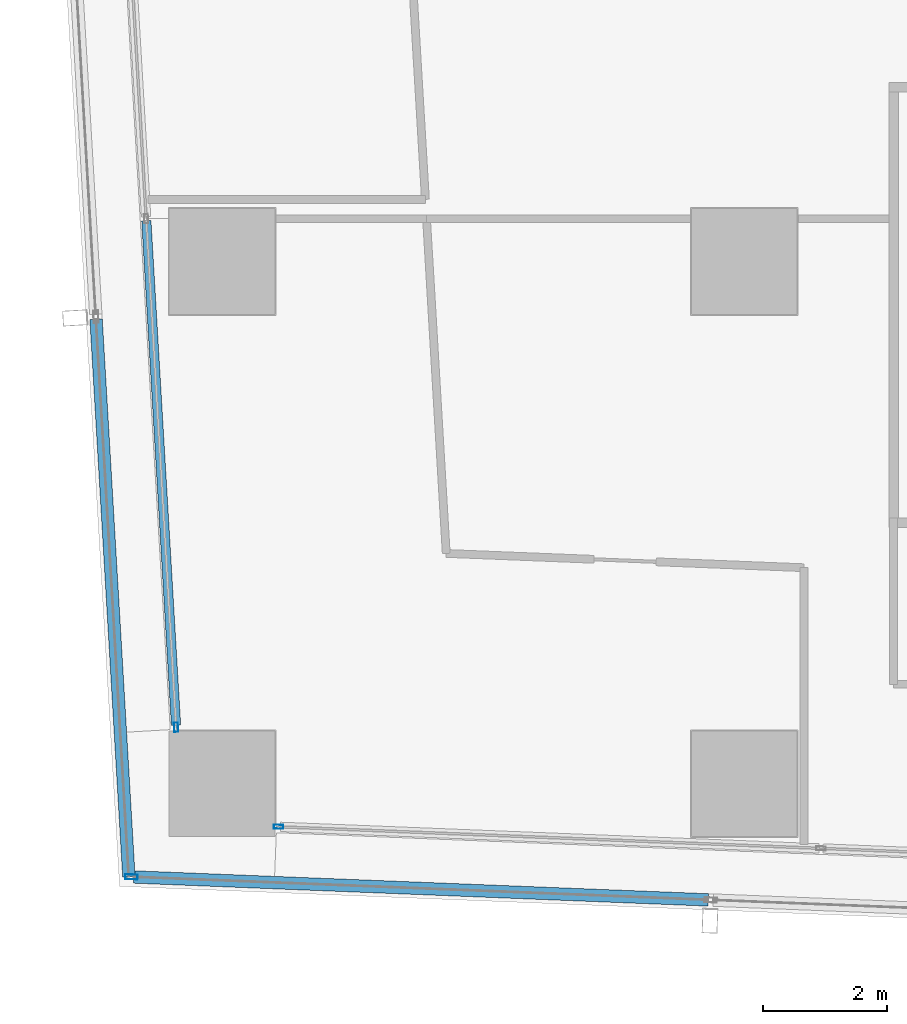
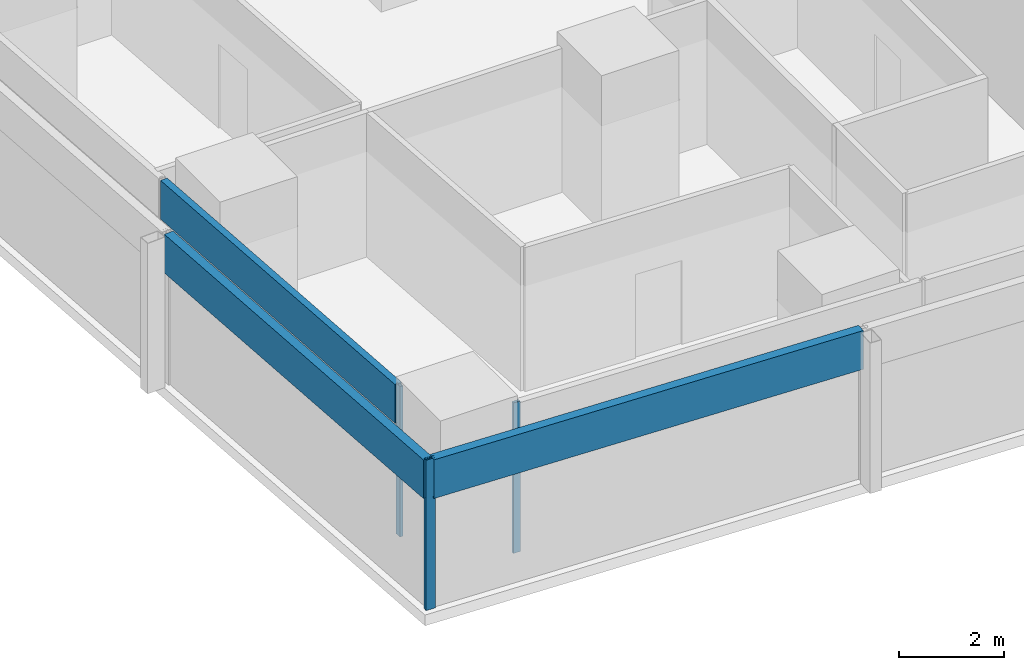
# One storey, part 2 of 39: 6 members, 4 elements without a shape of their own.
"""IFC4 building model written with IfcOpenShell, lengths in metres."""

from ifc_helpers import new_model, si_unit, direction, frame, origin, origin_2d, place, context, subcontext, project, spatial, hollow_rectangle, extrude, material, material_profile, profile_set, type_object, element, aggregate, save


model = new_model("IFC4")

# Units and contexts
model_context = context("Model", 3, precision=1e-05, world=origin(), true_north=direction((0.0, 1.0)))
body_context = subcontext(model_context, "Body", "Model", "MODEL_VIEW")
ifc_project = project(units=[si_unit("LENGTHUNIT", "METRE"), si_unit("AREAUNIT", "SQUARE_METRE"), si_unit("VOLUMEUNIT", "CUBIC_METRE"), si_unit("PLANEANGLEUNIT", "RADIAN"), si_unit("MASSUNIT", "GRAM", prefix="KILO")], contexts=[model_context])

# Site, building, storey
site_placement = place(None, origin())
site = spatial("IfcSite", under=ifc_project, at=site_placement, CompositionType="ELEMENT")
building_placement = place(site_placement, origin())
building = spatial("IfcBuilding", under=site, at=building_placement, Name="Rekha Terrace Tower", CompositionType="ELEMENT")
storey_placement = place(building_placement, frame((0.0, 0.0, 180.199951171875)))
storey = spatial("IfcBuildingStorey", under=building, at=storey_placement, Name="L45", CompositionType="ELEMENT", Elevation=180.199951171875)

# Curtain wall, member
ifc_material_1 = material(Name="Aluminium framing", Category="aluminium")
curtain_wall_type_1 = type_object("IfcCurtainWallType", Name="CW1 double skin inner glazing", PredefinedType="USERDEFINED", material=ifc_material_1)
curtain_wall_1_placement = place(storey_placement, origin())
curtain_wall_1 = element("IfcCurtainWall", 1, at=curtain_wall_1_placement, inside=storey, type_object=curtain_wall_type_1, Name="CW1 double skin inner glazing", ObjectType="DOUBLE SKIN INNER GLAZING", PredefinedType="USERDEFINED")
ifc_material_2 = material(Name="Aluminium mullion section", Category="aluminium")
ifc_material_profile_1 = material_profile(ifc_material_2, hollow_rectangle(XDim=0.06494140625, YDim=0.14990234375, WallThickness=0.00390625, at=origin_2d()), Name="AL RHS 65x150")
ifc_profile_set_1 = profile_set([ifc_material_profile_1], Name="Aluminium mullion section")
member_type_1 = type_object("IfcMemberType", Name="CW1 mullion RHS 65 x 150", PredefinedType="MULLION", material=ifc_profile_set_1)
member_1_placement = place(storey_placement, frame((9.30615234375, 16.10888671875, 0.0), z_axis=(0.0, 0.0, 1.0), x_axis=(0.039872497044, 0.999204775799, 0.0)))
member_1 = element("IfcMember", 2, at=member_1_placement, type_object=member_type_1, Name="CW1 mullion 1", PredefinedType="MULLION", context=body_context, shape_type="SweptSolid", body=[
    extrude(hollow_rectangle(XDim=0.06494140625, YDim=0.14990234375, WallThickness=0.00390625, at=origin_2d()), origin(), (0.0, 0.0, 1.0), 3.5),
])
aggregate(curtain_wall_1, [member_1])

# Curtain wall, members
curtain_wall_2_placement = place(storey_placement, origin())
curtain_wall_2 = element("IfcCurtainWall", 3, at=curtain_wall_2_placement, inside=storey, type_object=curtain_wall_type_1, Name="CW1 double skin inner glazing", ObjectType="DOUBLE SKIN INNER GLAZING", PredefinedType="USERDEFINED")
member_2_placement = place(storey_placement, frame((7.6611328125, 17.7080078125, 0.0), z_axis=(0.0, 0.0, 1.0), x_axis=(0.998271839267, 0.058765082551, 0.0)))
member_2 = element("IfcMember", 4, at=member_2_placement, type_object=member_type_1, Name="CW1 mullion 4", PredefinedType="MULLION", context=body_context, shape_type="SweptSolid", body=[
    extrude(hollow_rectangle(XDim=0.06494140625, YDim=0.14990234375, WallThickness=0.00390625, at=origin_2d()), origin(), (0.0, 0.0, 1.0), 3.5),
])
ifc_material_3 = material(Name="Insulated aluminium spandrel box", Category="aluminium")
ifc_material_profile_2 = material_profile(ifc_material_3, hollow_rectangle(XDim=0.14990234375, YDim=0.89990234375, WallThickness=0.0029296875, at=origin_2d()), Name="AL SPANDREL BOX 150x900")
ifc_profile_set_2 = profile_set([ifc_material_profile_2], Name="Insulated aluminium spandrel box")
member_type_2 = type_object("IfcMemberType", Name="CW1 spandrel transom 150 x 900", PredefinedType="USERDEFINED", material=ifc_profile_set_2)
member_3_placement = place(storey_placement, frame((7.181640625, 25.85595703125, 3.050048828125), z_axis=(0.058771314685, -0.998271472381, 0.0), x_axis=(0.998271472381, 0.058771314685, 0.0)))
member_3 = element("IfcMember", 5, at=member_3_placement, type_object=member_type_2, Name="CW1 spandrel transom 3", ObjectType="TRANSOM", PredefinedType="USERDEFINED", context=body_context, shape_type="SweptSolid", body=[
    extrude(hollow_rectangle(XDim=0.14990234375, YDim=0.89990234375, WallThickness=0.0029296875, at=origin_2d()), origin(), (0.0, 0.0, 1.0), 8.129638671875),
])
aggregate(curtain_wall_2, [member_2, member_3])

curtain_wall_type_2 = type_object("IfcCurtainWallType", Name="CW2 double skin outer glazing", PredefinedType="USERDEFINED", material=ifc_material_1)
curtain_wall_3_placement = place(storey_placement, origin())
curtain_wall_3 = element("IfcCurtainWall", 6, at=curtain_wall_3_placement, inside=storey, type_object=curtain_wall_type_2, Name="CW2 double skin outer glazing", ObjectType="DOUBLE SKIN OUTER GLAZING", PredefinedType="USERDEFINED")
ifc_material_profile_3 = material_profile(ifc_material_2, hollow_rectangle(XDim=0.080078125, YDim=0.199951171875, WallThickness=0.00390625, at=origin_2d()), Name="AL RHS 80x200")
ifc_profile_set_3 = profile_set([ifc_material_profile_3], Name="Aluminium mullion section")
member_type_3 = type_object("IfcMemberType", Name="CW2 mullion RHS 80 x 200", PredefinedType="MULLION", material=ifc_profile_set_3)
member_4_placement = place(storey_placement, frame((6.941162109375, 15.302490234375, 0.0), z_axis=(0.0, 0.0, 1.0), x_axis=(0.039872497044, 0.999204775799, 0.0)))
member_4 = element("IfcMember", 7, at=member_4_placement, type_object=member_type_3, Name="CW2 mullion 1", PredefinedType="MULLION", context=body_context, shape_type="SweptSolid", body=[
    extrude(hollow_rectangle(XDim=0.080078125, YDim=0.199951171875, WallThickness=0.00390625, at=origin_2d()), origin(), (0.0, 0.0, 1.0), 3.5),
])
ifc_material_profile_4 = material_profile(ifc_material_3, hollow_rectangle(XDim=0.199951171875, YDim=0.89990234375, WallThickness=0.0029296875, at=origin_2d()), Name="AL SPANDREL BOX 200x900")
ifc_profile_set_4 = profile_set([ifc_material_profile_4], Name="Insulated aluminium spandrel box")
member_type_4 = type_object("IfcMemberType", Name="CW2 spandrel transom 200 x 900", PredefinedType="USERDEFINED", material=ifc_profile_set_4)
member_5_placement = place(storey_placement, frame((6.981201171875, 15.301025390625, 3.050048828125), z_axis=(0.999203782278, -0.039897386899, 0.0), x_axis=(0.039897386899, 0.999203782278, 0.0)))
member_5 = element("IfcMember", 8, at=member_5_placement, type_object=member_type_4, Name="CW2 spandrel transom 1", ObjectType="TRANSOM", PredefinedType="USERDEFINED", context=body_context, shape_type="SweptSolid", body=[
    extrude(hollow_rectangle(XDim=0.199951171875, YDim=0.89990234375, WallThickness=0.0029296875, at=origin_2d()), origin(), (0.0, 0.0, 1.0), 9.24609375),
])
aggregate(curtain_wall_3, [member_4, member_5])

# Curtain wall, member
curtain_wall_4_placement = place(storey_placement, origin())
curtain_wall_4 = element("IfcCurtainWall", 9, at=curtain_wall_4_placement, inside=storey, type_object=curtain_wall_type_2, Name="CW2 double skin outer glazing", ObjectType="DOUBLE SKIN OUTER GLAZING", PredefinedType="USERDEFINED")
member_6_placement = place(storey_placement, frame((6.373291015625, 24.27197265625, 3.050048828125), z_axis=(0.058757071111, -0.998272310842, 0.0), x_axis=(0.998272310842, 0.058757071111, 0.0)))
member_6 = element("IfcMember", 10, at=member_6_placement, type_object=member_type_4, Name="CW2 spandrel transom 3", ObjectType="TRANSOM", PredefinedType="USERDEFINED", context=body_context, shape_type="SweptSolid", body=[
    extrude(hollow_rectangle(XDim=0.199951171875, YDim=0.89990234375, WallThickness=0.0029296875, at=origin_2d()), origin(), (0.0, 0.0, 1.0), 8.9833984375),
])
aggregate(curtain_wall_4, [member_6])

save(model, "model.ifc")
